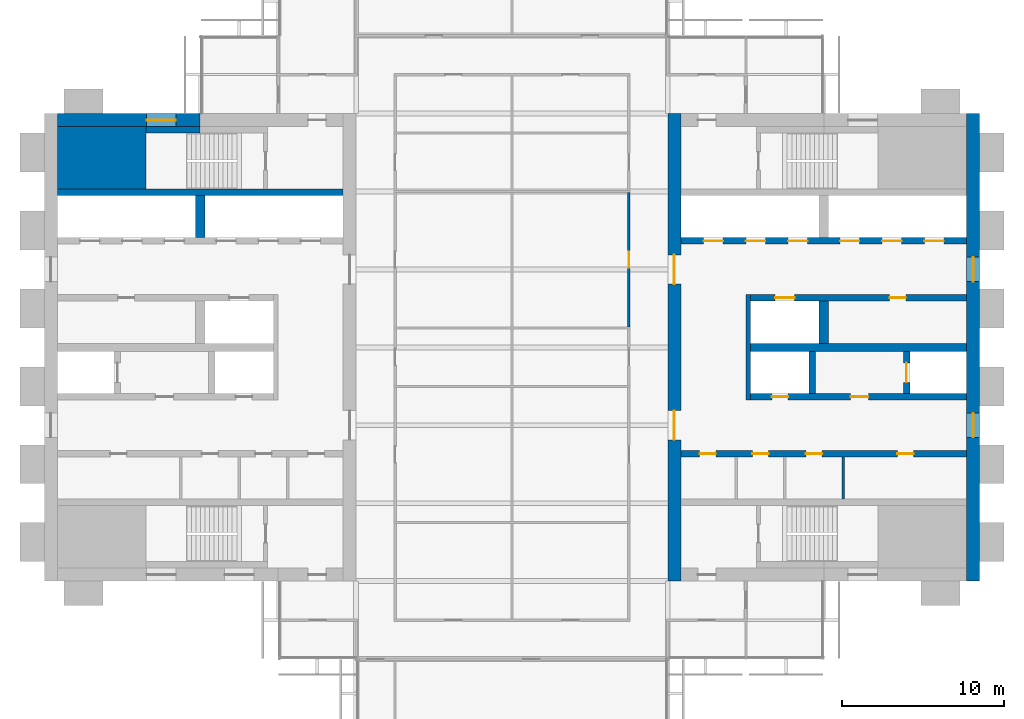
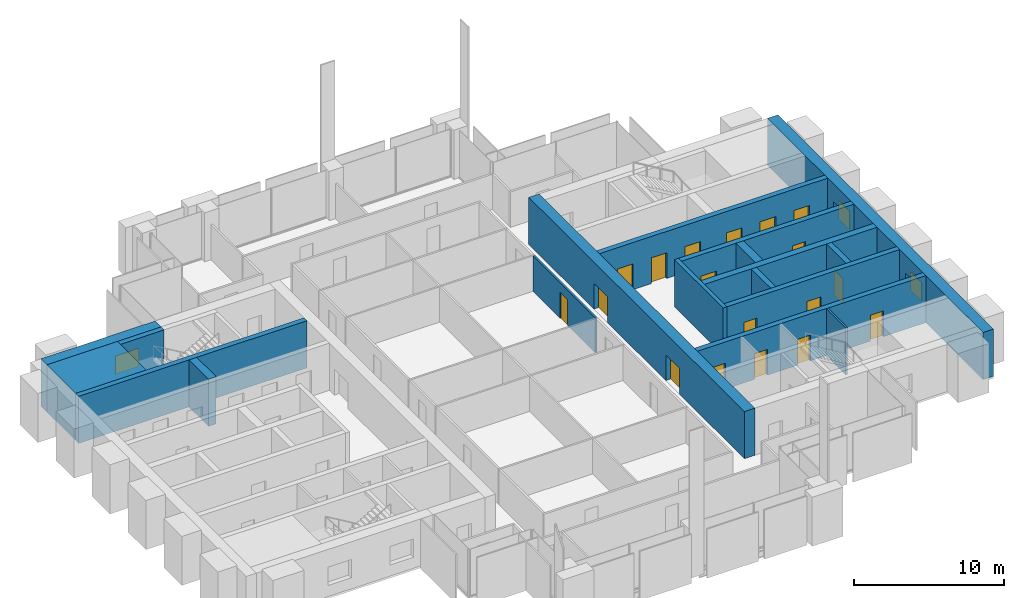
# One storey, part 10 of 13: 18 doors, 18 walls, 3 windows, 21 openings.
"""IFC4 building model written with IfcOpenShell, lengths in metres."""

from ifc_helpers import new_model, si_unit, direction, frame, frame_2d, origin, place, context, subcontext, project, spatial, rectangle, extrude, material, layer, layer_set, type_object, element, fill, save


model = new_model("IFC4")

# Units and contexts
model_context = context("Model", 3, precision=1e-05, world=origin(), true_north=direction((0.0, 1.0)))
body_context = subcontext(model_context, "Body", "Model", "MODEL_VIEW")
ifc_project = project(units=[si_unit("LENGTHUNIT", "METRE"), si_unit("AREAUNIT", "SQUARE_METRE"), si_unit("VOLUMEUNIT", "CUBIC_METRE"), si_unit("PLANEANGLEUNIT", "RADIAN"), si_unit("MASSUNIT", "GRAM", prefix="KILO")], contexts=[model_context])

# Site, building, storey
site_placement = place(None, origin())
site = spatial("IfcSite", under=ifc_project, at=site_placement, CompositionType="ELEMENT")
building_placement = place(site_placement, origin())
building = spatial("IfcBuilding", under=site, at=building_placement, Name="Baori Bourse Tower", CompositionType="ELEMENT")
storey_placement = place(building_placement, frame((0.0, 0.0, 225.199951171875)))
storey = spatial("IfcBuildingStorey", under=building, at=storey_placement, Name="L49", CompositionType="ELEMENT", Elevation=225.199951171875)

# Walls
ifc_material_1 = material(Name="Concrete f'c 50 MPa", Category="concrete")
wall_type_1 = type_object("IfcWallType", Name="Core corner block f'c 50", PredefinedType="SHEAR", material=ifc_material_1)
wall_1_placement = place(storey_placement, frame((0.800048828125, 35.675048828125, 0.0), z_axis=(0.0, 0.0, 1.0), x_axis=(1.0, 0.0, 0.0)))
element("IfcWall", 1, at=wall_1_placement, inside=storey, type_object=wall_type_1, Name="Core wall W23", PredefinedType="SHEAR", context=body_context, shape_type="SweptSolid", body=[
    extrude(rectangle(XDim=5.449951171875, YDim=3.85009765625, at=frame_2d((2.72509765625, 0.0))), origin(), (0.0, 0.0, 1.0), 3.840087890625),
])
ifc_material_2 = material(Name="Blockwork partition", Category="masonry")
ifc_layer_1 = layer(ifc_material_2, 0.14990234375)
ifc_layer_set_1 = layer_set([ifc_layer_1], Name="Core partition 150")
wall_type_2 = type_object("IfcWallType", Name="Core partition 150", PredefinedType="PARTITIONING", material=ifc_layer_set_1)
wall_2_placement = place(storey_placement, frame((49.199951171875, 14.64990234375, 0.0), z_axis=(0.0, 0.0, 1.0), x_axis=(0.0, 1.0, 0.0)))
element("IfcWall", 2, at=wall_2_placement, inside=storey, type_object=wall_type_2, Name="Partition wall E10", PredefinedType="PARTITIONING", context=body_context, shape_type="SweptSolid", body=[
    extrude(rectangle(XDim=2.60009765625, YDim=0.14990234375, at=frame_2d((1.300048828125, 0.0))), origin(), (0.0, 0.0, 1.0), 3.840087890625),
])

# Wall, opening, window
ifc_material_3 = material(Name="Concrete f'c 50 MPa", Category="concrete")
ifc_layer_2 = layer(ifc_material_3, 0.800048828125)
ifc_layer_set_2 = layer_set([ifc_layer_2], Name="Core wall 800 f'c 50")
wall_type_3 = type_object("IfcWallType", Name="Core wall 800 f'c 50", PredefinedType="SHEAR", material=ifc_layer_set_2)
wall_3_placement = place(storey_placement, frame((0.800048828125, 38.0, 0.0), z_axis=(0.0, 0.0, 1.0), x_axis=(1.0, 0.0, 0.0)))
wall_3 = element("IfcWall", 3, at=wall_3_placement, inside=storey, type_object=wall_type_3, Name="Core wall W27", PredefinedType="SHEAR", context=body_context, shape_type="SweptSolid", body=[
    extrude(rectangle(XDim=8.800048828125, YDim=0.800048828125, at=frame_2d((4.39990234375, 0.0))), origin(), (0.0, 0.0, 1.0), 3.840087890625),
])
opening_1_placement = place(wall_3_placement, frame((5.5, 0.0, 0.89990234375)))
opening_1 = element("IfcOpeningElement", 4, at=opening_1_placement, cuts=wall_3, Name="Opening L49-KW105", PredefinedType="OPENING", context=body_context, shape_type="SweptSolid", body=[
    extrude(rectangle(XDim=1.800048828125, YDim=1.5, at=frame_2d((0.89990234375, 0.75))), frame((0.0, 0.409912109375, 0.0), z_axis=(0.0, -1.0, 0.0), x_axis=(1.0, 0.0, 0.0)), (0.0, 0.0, 1.0), 0.820068359375),
])
ifc_material_4 = material(Name="Pale anodised aluminium", Category="aluminium")
window_type_1 = type_object("IfcWindowType", Name="Stair window 1800 x 1500", PartitioningType="SINGLE_PANEL", PredefinedType="WINDOW", material=ifc_material_4)
window_1_placement = place(opening_1_placement, origin())
window_1 = element("IfcWindow", 5, at=window_1_placement, inside=storey, type_object=window_type_1, Name="Stair window W L49 5", OverallHeight=1.5, OverallWidth=1.800048828125, PartitioningType="SINGLE_PANEL", PredefinedType="WINDOW", context=body_context, shape_type="SweptSolid", body=[
    extrude(rectangle(XDim=1.800048828125, YDim=1.5, at=frame_2d((0.89990234375, 0.75))), frame((0.0, 0.030029296875, 0.0), z_axis=(0.0, -1.0, 0.0), x_axis=(1.0, 0.0, 0.0)), (0.0, 0.0, 1.0), 0.06005859375),
])
fill(opening_1, window_1)

# Wall, openings, windows
wall_4_placement = place(storey_placement, frame((57.199951171875, 38.39990234375, 0.0), z_axis=(0.0, 0.0, 1.0), x_axis=(0.0, -1.0, 0.0)))
wall_4 = element("IfcWall", 6, at=wall_4_placement, inside=storey, type_object=wall_type_3, Name="Core wall E01", PredefinedType="SHEAR", context=body_context, shape_type="SweptSolid", body=[
    extrude(rectangle(XDim=28.7998046875, YDim=0.800048828125, at=frame_2d((14.39990234375, 0.0))), origin(), (0.0, 0.0, 1.0), 3.840087890625),
])
opening_2_placement = place(wall_4_placement, frame((18.449951171875, 0.0, 0.89990234375)))
opening_2 = element("IfcOpeningElement", 7, at=opening_2_placement, cuts=wall_4, Name="Opening L49-KW201", PredefinedType="OPENING", context=body_context, shape_type="SweptSolid", body=[
    extrude(rectangle(XDim=1.5, YDim=1.5, at=frame_2d((0.75, 0.75))), frame((0.0, 0.409912109375, 0.0), z_axis=(0.0, -1.0, 0.0), x_axis=(1.0, 0.0, 0.0)), (0.0, 0.0, 1.0), 0.820068359375),
])
opening_3_placement = place(wall_4_placement, frame((8.85009765625, 0.0, 0.89990234375)))
opening_3 = element("IfcOpeningElement", 8, at=opening_3_placement, cuts=wall_4, Name="Opening L49-KW202", PredefinedType="OPENING", context=body_context, shape_type="SweptSolid", body=[
    extrude(rectangle(XDim=1.5, YDim=1.5, at=frame_2d((0.75, 0.75))), frame((0.0, 0.409912109375, 0.0), z_axis=(0.0, -1.0, 0.0), x_axis=(1.0, 0.0, 0.0)), (0.0, 0.0, 1.0), 0.820068359375),
])
ifc_material_5 = material(Name="Pale anodised aluminium", Category="aluminium")
window_type_2 = type_object("IfcWindowType", Name="Lobby window 1500 x 1500", PartitioningType="SINGLE_PANEL", PredefinedType="WINDOW", material=ifc_material_5)
window_2_placement = place(opening_2_placement, origin())
window_2 = element("IfcWindow", 9, at=window_2_placement, inside=storey, type_object=window_type_2, Name="Outer wall window E L49 1", OverallHeight=1.5, OverallWidth=1.5, PartitioningType="SINGLE_PANEL", PredefinedType="WINDOW", context=body_context, shape_type="SweptSolid", body=[
    extrude(rectangle(XDim=1.5, YDim=1.5, at=frame_2d((0.75, 0.75))), frame((0.0, 0.030029296875, 0.0), z_axis=(0.0, -1.0, 0.0), x_axis=(1.0, 0.0, 0.0)), (0.0, 0.0, 1.0), 0.06005859375),
])
fill(opening_2, window_2)
window_3_placement = place(opening_3_placement, origin())
window_3 = element("IfcWindow", 10, at=window_3_placement, inside=storey, type_object=window_type_2, Name="Outer wall window E L49 2", OverallHeight=1.5, OverallWidth=1.5, PartitioningType="SINGLE_PANEL", PredefinedType="WINDOW", context=body_context, shape_type="SweptSolid", body=[
    extrude(rectangle(XDim=1.5, YDim=1.5, at=frame_2d((0.75, 0.75))), frame((0.0, 0.030029296875, 0.0), z_axis=(0.0, -1.0, 0.0), x_axis=(1.0, 0.0, 0.0)), (0.0, 0.0, 1.0), 0.06005859375),
])
fill(opening_3, window_3)

# Wall, openings, doors
wall_5_placement = place(storey_placement, frame((38.800048828125, 9.60009765625, 0.0), z_axis=(0.0, 0.0, 1.0), x_axis=(0.0, 1.0, 0.0)))
wall_5 = element("IfcWall", 11, at=wall_5_placement, inside=storey, type_object=wall_type_3, Name="Core wall E04", PredefinedType="SHEAR", context=body_context, shape_type="SweptSolid", body=[
    extrude(rectangle(XDim=28.7998046875, YDim=0.800048828125, at=frame_2d((14.39990234375, 0.0))), origin(), (0.0, 0.0, 1.0), 3.840087890625),
])
opening_4_placement = place(wall_5_placement, frame((8.699951171875, 0.0, 0.0)))
opening_4 = element("IfcOpeningElement", 12, at=opening_4_placement, cuts=wall_5, Name="Opening L49-D207", PredefinedType="OPENING", context=body_context, shape_type="SweptSolid", body=[
    extrude(rectangle(XDim=1.800048828125, YDim=2.10009765625, at=frame_2d((0.89990234375, 1.050048828125))), frame((0.0, 0.409912109375, 0.0), z_axis=(0.0, -1.0, 0.0), x_axis=(1.0, 0.0, 0.0)), (0.0, 0.0, 1.0), 0.820068359375),
])
opening_5_placement = place(wall_5_placement, frame((18.300048828125, 0.0, 0.0)))
opening_5 = element("IfcOpeningElement", 13, at=opening_5_placement, cuts=wall_5, Name="Opening L49-D208", PredefinedType="OPENING", context=body_context, shape_type="SweptSolid", body=[
    extrude(rectangle(XDim=1.800048828125, YDim=2.10009765625, at=frame_2d((0.89990234375, 1.050048828125))), frame((0.0, 0.409912109375, 0.0), z_axis=(0.0, -1.0, 0.0), x_axis=(1.0, 0.0, 0.0)), (0.0, 0.0, 1.0), 0.820068359375),
])
ifc_material_6 = material(Name="Painted steel door", Category="steel")
door_type_1 = type_object("IfcDoorType", Name="Core lobby door 1800", OperationType="DOUBLE_DOOR_SINGLE_SWING", PredefinedType="DOOR", material=ifc_material_6)
door_1_placement = place(opening_4_placement, origin())
door_1 = element("IfcDoor", 14, at=door_1_placement, inside=storey, type_object=door_type_1, Name="Lobby door E L49", OperationType="DOUBLE_DOOR_SINGLE_SWING", OverallHeight=2.10009765625, OverallWidth=1.800048828125, PredefinedType="DOOR", context=body_context, shape_type="SweptSolid", body=[
    extrude(rectangle(XDim=1.800048828125, YDim=2.10009765625, at=frame_2d((0.89990234375, 1.050048828125))), frame((0.0, 0.02490234375, 0.0), z_axis=(0.0, -1.0, 0.0), x_axis=(1.0, 0.0, 0.0)), (0.0, 0.0, 1.0), 0.050048828125),
])
fill(opening_4, door_1)
door_2_placement = place(opening_5_placement, origin())
door_2 = element("IfcDoor", 15, at=door_2_placement, inside=storey, type_object=door_type_1, Name="Lobby door E L49", OperationType="DOUBLE_DOOR_SINGLE_SWING", OverallHeight=2.10009765625, OverallWidth=1.800048828125, PredefinedType="DOOR", context=body_context, shape_type="SweptSolid", body=[
    extrude(rectangle(XDim=1.800048828125, YDim=2.10009765625, at=frame_2d((0.89990234375, 1.050048828125))), frame((0.0, 0.02490234375, 0.0), z_axis=(0.0, -1.0, 0.0), x_axis=(1.0, 0.0, 0.0)), (0.0, 0.0, 1.0), 0.050048828125),
])
fill(opening_5, door_2)

# Wall, opening, door
ifc_material_7 = material(Name="Gypsum board partition")
ifc_layer_3 = layer(ifc_material_7, 0.14990234375)
ifc_layer_set_3 = layer_set([ifc_layer_3], Name="Corridor partition 150")
wall_type_4 = type_object("IfcWallType", Name="Corridor partition 150", PredefinedType="PARTITIONING", material=ifc_layer_set_3)
wall_6_placement = place(storey_placement, frame((36.0, 25.262451171875, 0.0), z_axis=(0.0, 0.0, 1.0), x_axis=(0.0, 1.0, 0.0)))
wall_6 = element("IfcWall", 16, at=wall_6_placement, inside=storey, type_object=wall_type_4, Name="Partition", PredefinedType="PARTITIONING", context=body_context, shape_type="SweptSolid", body=[
    extrude(rectangle(XDim=8.275146484375, YDim=0.14990234375, at=frame_2d((4.1376953125, 0.0))), origin(), (0.0, 0.0, 1.0), 2.869873046875),
])
opening_6_placement = place(wall_6_placement, frame((3.637451171875, 0.0, 0.0)))
opening_6 = element("IfcOpeningElement", 17, at=opening_6_placement, cuts=wall_6, Name="Opening L49-D20", PredefinedType="OPENING", context=body_context, shape_type="SweptSolid", body=[
    extrude(rectangle(XDim=1.0, YDim=2.10009765625, at=frame_2d((0.5, 1.050048828125))), frame((0.0, 0.0849609375, 0.0), z_axis=(0.0, -1.0, 0.0), x_axis=(1.0, 0.0, 0.0)), (0.0, 0.0, 1.0), 0.169921875),
])
ifc_material_8 = material(Name="Timber door leaf", Category="wood")
door_type_2 = type_object("IfcDoorType", Name="Door 1000 x 2100", OperationType="SINGLE_SWING_LEFT", PredefinedType="DOOR", material=ifc_material_8)
door_3_placement = place(opening_6_placement, origin())
door_3 = element("IfcDoor", 18, at=door_3_placement, inside=storey, type_object=door_type_2, Name="Door", OperationType="SINGLE_SWING_RIGHT", OverallHeight=2.10009765625, OverallWidth=1.0, PredefinedType="DOOR", context=body_context, shape_type="SweptSolid", body=[
    extrude(rectangle(XDim=1.0, YDim=2.10009765625, at=frame_2d((0.5, 1.050048828125))), frame((0.0, 0.02490234375, 0.0), z_axis=(0.0, -1.0, 0.0), x_axis=(1.0, 0.0, 0.0)), (0.0, 0.0, 1.0), 0.050048828125),
])
fill(opening_6, door_3)

# Walls
ifc_material_9 = material(Name="Concrete f'c 50 MPa", Category="concrete")
ifc_layer_4 = layer(ifc_material_9, 0.300048828125)
ifc_layer_set_4 = layer_set([ifc_layer_4], Name="Shaft wall 300 f'c 50")
wall_type_5 = type_object("IfcWallType", Name="Shaft wall 300 f'c 50", PredefinedType="SHEAR", material=ifc_layer_set_4)
wall_7_placement = place(storey_placement, frame((43.35009765625, 20.75, 0.0), z_axis=(0.0, 0.0, 1.0), x_axis=(0.0, 1.0, 0.0)))
element("IfcWall", 19, at=wall_7_placement, inside=storey, type_object=wall_type_5, Name="Core wall E15", PredefinedType="SHEAR", context=body_context, shape_type="SweptSolid", body=[
    extrude(rectangle(XDim=6.5, YDim=0.300048828125, at=frame_2d((3.25, 0.0))), origin(), (0.0, 0.0, 1.0), 3.840087890625),
])
ifc_material_10 = material(Name="Concrete f'c 50 MPa", Category="concrete")
ifc_layer_5 = layer(ifc_material_10, 0.39990234375)
ifc_layer_set_5 = layer_set([ifc_layer_5], Name="Shaft wall 400 f'c 50")
wall_type_6 = type_object("IfcWallType", Name="Shaft wall 400 f'c 50", PredefinedType="SHEAR", material=ifc_layer_set_5)
wall_8_placement = place(storey_placement, frame((0.800048828125, 33.550048828125, 0.0), z_axis=(0.0, 0.0, 1.0), x_axis=(1.0, 0.0, 0.0)))
element("IfcWall", 20, at=wall_8_placement, inside=storey, type_object=wall_type_6, Name="Core wall W22", PredefinedType="SHEAR", context=body_context, shape_type="SweptSolid", body=[
    extrude(rectangle(XDim=17.599853515625, YDim=0.39990234375, at=frame_2d((8.7998046875, 0.0))), origin(), (0.0, 0.0, 1.0), 3.840087890625),
])
wall_9_placement = place(storey_placement, frame((6.25, 37.39990234375, 0.0), z_axis=(0.0, 0.0, 1.0), x_axis=(1.0, 0.0, 0.0)))
element("IfcWall", 21, at=wall_9_placement, inside=storey, type_object=wall_type_6, Name="Core wall W25", PredefinedType="SHEAR", context=body_context, shape_type="SweptSolid", body=[
    extrude(rectangle(XDim=3.35009765625, YDim=0.39990234375, at=frame_2d((1.675048828125, 0.0))), origin(), (0.0, 0.0, 1.0), 3.840087890625),
])

# Wall, openings, doors
wall_10_placement = place(storey_placement, frame((39.199951171875, 17.449951171875, 0.0), z_axis=(0.0, 0.0, 1.0), x_axis=(1.0, 0.0, 0.0)))
wall_10 = element("IfcWall", 22, at=wall_10_placement, inside=storey, type_object=wall_type_6, Name="Core wall E13", PredefinedType="SHEAR", context=body_context, shape_type="SweptSolid", body=[
    extrude(rectangle(XDim=17.60009765625, YDim=0.39990234375, at=frame_2d((8.800048828125, 0.0))), origin(), (0.0, 0.0, 1.0), 3.840087890625),
])
opening_7_placement = place(wall_10_placement, frame((13.33740234375, 0.0, 0.0)))
opening_7 = element("IfcOpeningElement", 23, at=opening_7_placement, cuts=wall_10, Name="Opening L49-D209", PredefinedType="OPENING", context=body_context, shape_type="SweptSolid", body=[
    extrude(rectangle(XDim=1.0, YDim=2.10009765625, at=frame_2d((0.5, 1.050048828125))), frame((0.0, 0.2099609375, 0.0), z_axis=(0.0, -1.0, 0.0), x_axis=(1.0, 0.0, 0.0)), (0.0, 0.0, 1.0), 0.419921875),
])
opening_8_placement = place(wall_10_placement, frame((7.699951171875, 0.0, 0.0)))
opening_8 = element("IfcOpeningElement", 24, at=opening_8_placement, cuts=wall_10, Name="Opening L49-D210", PredefinedType="OPENING", context=body_context, shape_type="SweptSolid", body=[
    extrude(rectangle(XDim=1.0, YDim=2.10009765625, at=frame_2d((0.5, 1.050048828125))), frame((0.0, 0.2099609375, 0.0), z_axis=(0.0, -1.0, 0.0), x_axis=(1.0, 0.0, 0.0)), (0.0, 0.0, 1.0), 0.419921875),
])
opening_9_placement = place(wall_10_placement, frame((4.39990234375, 0.0, 0.0)))
opening_9 = element("IfcOpeningElement", 25, at=opening_9_placement, cuts=wall_10, Name="Opening L49-D211", PredefinedType="OPENING", context=body_context, shape_type="SweptSolid", body=[
    extrude(rectangle(XDim=1.0, YDim=2.10009765625, at=frame_2d((0.5, 1.050048828125))), frame((0.0, 0.2099609375, 0.0), z_axis=(0.0, -1.0, 0.0), x_axis=(1.0, 0.0, 0.0)), (0.0, 0.0, 1.0), 0.419921875),
])
opening_10_placement = place(wall_10_placement, frame((1.16259765625, 0.0, 0.0)))
opening_10 = element("IfcOpeningElement", 26, at=opening_10_placement, cuts=wall_10, Name="Opening L49-D212", PredefinedType="OPENING", context=body_context, shape_type="SweptSolid", body=[
    extrude(rectangle(XDim=1.0, YDim=2.10009765625, at=frame_2d((0.5, 1.050048828125))), frame((0.0, 0.2099609375, 0.0), z_axis=(0.0, -1.0, 0.0), x_axis=(1.0, 0.0, 0.0)), (0.0, 0.0, 1.0), 0.419921875),
])
ifc_material_11 = material(Name="Painted steel door", Category="steel")
door_type_3 = type_object("IfcDoorType", Name="Core door 1000", OperationType="SINGLE_SWING_LEFT", PredefinedType="DOOR", material=ifc_material_11)
door_4_placement = place(opening_7_placement, origin())
door_4 = element("IfcDoor", 27, at=door_4_placement, inside=storey, type_object=door_type_3, Name="Men'S Wc door E L49", OperationType="SINGLE_SWING_LEFT", OverallHeight=2.10009765625, OverallWidth=1.0, PredefinedType="DOOR", context=body_context, shape_type="SweptSolid", body=[
    extrude(rectangle(XDim=1.0, YDim=2.10009765625, at=frame_2d((0.5, 1.050048828125))), frame((0.0, 0.02490234375, 0.0), z_axis=(0.0, -1.0, 0.0), x_axis=(1.0, 0.0, 0.0)), (0.0, 0.0, 1.0), 0.050048828125),
])
fill(opening_7, door_4)
door_5_placement = place(opening_8_placement, origin())
door_5 = element("IfcDoor", 28, at=door_5_placement, inside=storey, type_object=door_type_3, Name="Women'S Wc door E L49", OperationType="SINGLE_SWING_LEFT", OverallHeight=2.10009765625, OverallWidth=1.0, PredefinedType="DOOR", context=body_context, shape_type="SweptSolid", body=[
    extrude(rectangle(XDim=1.0, YDim=2.10009765625, at=frame_2d((0.5, 1.050048828125))), frame((0.0, 0.02490234375, 0.0), z_axis=(0.0, -1.0, 0.0), x_axis=(1.0, 0.0, 0.0)), (0.0, 0.0, 1.0), 0.050048828125),
])
fill(opening_8, door_5)
door_6_placement = place(opening_9_placement, origin())
door_6 = element("IfcDoor", 29, at=door_6_placement, inside=storey, type_object=door_type_3, Name="Accessible Wc door E L49", OperationType="SINGLE_SWING_LEFT", OverallHeight=2.10009765625, OverallWidth=1.0, PredefinedType="DOOR", context=body_context, shape_type="SweptSolid", body=[
    extrude(rectangle(XDim=1.0, YDim=2.10009765625, at=frame_2d((0.5, 1.050048828125))), frame((0.0, 0.02490234375, 0.0), z_axis=(0.0, -1.0, 0.0), x_axis=(1.0, 0.0, 0.0)), (0.0, 0.0, 1.0), 0.050048828125),
])
fill(opening_9, door_6)
door_7_placement = place(opening_10_placement, origin())
door_7 = element("IfcDoor", 30, at=door_7_placement, inside=storey, type_object=door_type_3, Name="Store Room door E L49", OperationType="SINGLE_SWING_LEFT", OverallHeight=2.10009765625, OverallWidth=1.0, PredefinedType="DOOR", context=body_context, shape_type="SweptSolid", body=[
    extrude(rectangle(XDim=1.0, YDim=2.10009765625, at=frame_2d((0.5, 1.050048828125))), frame((0.0, 0.02490234375, 0.0), z_axis=(0.0, -1.0, 0.0), x_axis=(1.0, 0.0, 0.0)), (0.0, 0.0, 1.0), 0.050048828125),
])
fill(opening_10, door_7)

wall_11_placement = place(storey_placement, frame((43.5, 20.949951171875, 0.0), z_axis=(0.0, 0.0, 1.0), x_axis=(1.0, 0.0, 0.0)))
wall_11 = element("IfcWall", 31, at=wall_11_placement, inside=storey, type_object=wall_type_6, Name="Core wall E14", PredefinedType="SHEAR", context=body_context, shape_type="SweptSolid", body=[
    extrude(rectangle(XDim=13.300048828125, YDim=0.39990234375, at=frame_2d((6.64990234375, 0.0))), origin(), (0.0, 0.0, 1.0), 3.840087890625),
])
opening_11_placement = place(wall_11_placement, frame((6.14990234375, 0.0, 0.0)))
opening_11 = element("IfcOpeningElement", 32, at=opening_11_placement, cuts=wall_11, Name="Opening L49-D205", PredefinedType="OPENING", context=body_context, shape_type="SweptSolid", body=[
    extrude(rectangle(XDim=1.10009765625, YDim=2.10009765625, at=frame_2d((0.550048828125, 1.050048828125))), frame((0.0, 0.2099609375, 0.0), z_axis=(0.0, -1.0, 0.0), x_axis=(1.0, 0.0, 0.0)), (0.0, 0.0, 1.0), 0.419921875),
])
opening_12_placement = place(wall_11_placement, frame((1.300048828125, 0.0, 0.0)))
opening_12 = element("IfcOpeningElement", 33, at=opening_12_placement, cuts=wall_11, Name="Opening L49-D206", PredefinedType="OPENING", context=body_context, shape_type="SweptSolid", body=[
    extrude(rectangle(XDim=1.0, YDim=2.10009765625, at=frame_2d((0.5, 1.050048828125))), frame((0.0, 0.2099609375, 0.0), z_axis=(0.0, -1.0, 0.0), x_axis=(1.0, 0.0, 0.0)), (0.0, 0.0, 1.0), 0.419921875),
])
ifc_material_12 = material(Name="Painted steel door", Category="steel")
door_type_4 = type_object("IfcDoorType", Name="Lobby door 1100", OperationType="SINGLE_SWING_LEFT", PredefinedType="DOOR", material=ifc_material_12)
door_8_placement = place(opening_11_placement, origin())
door_8 = element("IfcDoor", 34, at=door_8_placement, inside=storey, type_object=door_type_4, Name="Firefighting lobby door E L49", OperationType="SINGLE_SWING_LEFT", OverallHeight=2.10009765625, OverallWidth=1.10009765625, PredefinedType="DOOR", context=body_context, shape_type="SweptSolid", body=[
    extrude(rectangle(XDim=1.10009765625, YDim=2.10009765625, at=frame_2d((0.550048828125, 1.050048828125))), frame((0.0, 0.02490234375, 0.0), z_axis=(0.0, -1.0, 0.0), x_axis=(1.0, 0.0, 0.0)), (0.0, 0.0, 1.0), 0.050048828125),
])
fill(opening_11, door_8)
ifc_material_13 = material(Name="Painted steel door", Category="steel")
door_type_5 = type_object("IfcDoorType", Name="Shaft door 1000", OperationType="SINGLE_SWING_LEFT", PredefinedType="DOOR", material=ifc_material_13)
door_9_placement = place(opening_12_placement, origin())
door_9 = element("IfcDoor", 35, at=door_9_placement, inside=storey, type_object=door_type_5, Name="Riser room door E L49", OperationType="SINGLE_SWING_LEFT", OverallHeight=2.10009765625, OverallWidth=1.0, PredefinedType="DOOR", context=body_context, shape_type="SweptSolid", body=[
    extrude(rectangle(XDim=1.0, YDim=2.10009765625, at=frame_2d((0.5, 1.050048828125))), frame((0.0, 0.02490234375, 0.0), z_axis=(0.0, -1.0, 0.0), x_axis=(1.0, 0.0, 0.0)), (0.0, 0.0, 1.0), 0.050048828125),
])
fill(opening_12, door_9)

# Wall, opening, door
wall_12_placement = place(storey_placement, frame((53.10009765625, 21.14990234375, 0.0), z_axis=(0.0, 0.0, 1.0), x_axis=(0.0, 1.0, 0.0)))
wall_12 = element("IfcWall", 36, at=wall_12_placement, inside=storey, type_object=wall_type_6, Name="Core wall E16", PredefinedType="SHEAR", context=body_context, shape_type="SweptSolid", body=[
    extrude(rectangle(XDim=2.60009765625, YDim=0.39990234375, at=frame_2d((1.300048828125, 0.0))), origin(), (0.0, 0.0, 1.0), 3.840087890625),
])
opening_13_placement = place(wall_12_placement, frame((0.699951171875, 0.0, 0.0)))
opening_13 = element("IfcOpeningElement", 37, at=opening_13_placement, cuts=wall_12, Name="Opening L49-D221", PredefinedType="OPENING", context=body_context, shape_type="SweptSolid", body=[
    extrude(rectangle(XDim=1.199951171875, YDim=2.10009765625, at=frame_2d((0.60009765625, 1.050048828125))), frame((0.0, 0.2099609375, 0.0), z_axis=(0.0, -1.0, 0.0), x_axis=(1.0, 0.0, 0.0)), (0.0, 0.0, 1.0), 0.419921875),
])
ifc_material_14 = material(Name="Stainless steel door", Category="steel")
door_type_6 = type_object("IfcDoorType", Name="Lift landing door", OperationType="DOUBLE_DOOR_SLIDING", PredefinedType="DOOR", material=ifc_material_14)
door_10_placement = place(opening_13_placement, origin())
door_10 = element("IfcDoor", 38, at=door_10_placement, inside=storey, type_object=door_type_6, Name="Lift landing door FF2 E L49", OperationType="DOUBLE_DOOR_SLIDING", OverallHeight=2.10009765625, OverallWidth=1.199951171875, PredefinedType="DOOR", context=body_context, shape_type="SweptSolid", body=[
    extrude(rectangle(XDim=1.199951171875, YDim=2.10009765625, at=frame_2d((0.60009765625, 1.050048828125))), frame((0.0, 0.02490234375, 0.0), z_axis=(0.0, -1.0, 0.0), x_axis=(1.0, 0.0, 0.0)), (0.0, 0.0, 1.0), 0.050048828125),
])
fill(opening_13, door_10)

# Wall
wall_13_placement = place(storey_placement, frame((47.300048828125, 21.14990234375, 0.0), z_axis=(0.0, 0.0, 1.0), x_axis=(0.0, 1.0, 0.0)))
element("IfcWall", 39, at=wall_13_placement, inside=storey, type_object=wall_type_6, Name="Core wall E17", PredefinedType="SHEAR", context=body_context, shape_type="SweptSolid", body=[
    extrude(rectangle(XDim=2.60009765625, YDim=0.39990234375, at=frame_2d((1.300048828125, 0.0))), origin(), (0.0, 0.0, 1.0), 3.840087890625),
])

# Wall, openings, doors
wall_14_placement = place(storey_placement, frame((43.5, 27.050048828125, 0.0), z_axis=(0.0, 0.0, 1.0), x_axis=(1.0, 0.0, 0.0)))
wall_14 = element("IfcWall", 40, at=wall_14_placement, inside=storey, type_object=wall_type_6, Name="Core wall E20", PredefinedType="SHEAR", context=body_context, shape_type="SweptSolid", body=[
    extrude(rectangle(XDim=13.300048828125, YDim=0.39990234375, at=frame_2d((6.64990234375, 0.0))), origin(), (0.0, 0.0, 1.0), 3.840087890625),
])
opening_14_placement = place(wall_14_placement, frame((8.550048828125, 0.0, 0.0)))
opening_14 = element("IfcOpeningElement", 41, at=opening_14_placement, cuts=wall_14, Name="Opening L49-D213", PredefinedType="OPENING", context=body_context, shape_type="SweptSolid", body=[
    extrude(rectangle(XDim=1.0, YDim=2.10009765625, at=frame_2d((0.5, 1.050048828125))), frame((0.0, 0.2099609375, 0.0), z_axis=(0.0, -1.0, 0.0), x_axis=(1.0, 0.0, 0.0)), (0.0, 0.0, 1.0), 0.419921875),
])
opening_15_placement = place(wall_14_placement, frame((1.5, 0.0, 0.0)))
opening_15 = element("IfcOpeningElement", 42, at=opening_15_placement, cuts=wall_14, Name="Opening L49-D220", PredefinedType="OPENING", context=body_context, shape_type="SweptSolid", body=[
    extrude(rectangle(XDim=1.199951171875, YDim=2.10009765625, at=frame_2d((0.60009765625, 1.050048828125))), frame((0.0, 0.2099609375, 0.0), z_axis=(0.0, -1.0, 0.0), x_axis=(1.0, 0.0, 0.0)), (0.0, 0.0, 1.0), 0.419921875),
])
door_11_placement = place(opening_14_placement, origin())
door_11 = element("IfcDoor", 43, at=door_11_placement, inside=storey, type_object=door_type_3, Name="Pantry door E L49", OperationType="SINGLE_SWING_LEFT", OverallHeight=2.10009765625, OverallWidth=1.0, PredefinedType="DOOR", context=body_context, shape_type="SweptSolid", body=[
    extrude(rectangle(XDim=1.0, YDim=2.10009765625, at=frame_2d((0.5, 1.050048828125))), frame((0.0, 0.02490234375, 0.0), z_axis=(0.0, -1.0, 0.0), x_axis=(1.0, 0.0, 0.0)), (0.0, 0.0, 1.0), 0.050048828125),
])
fill(opening_14, door_11)
door_12_placement = place(opening_15_placement, origin())
door_12 = element("IfcDoor", 44, at=door_12_placement, inside=storey, type_object=door_type_6, Name="Lift landing door SV1 E L49", OperationType="DOUBLE_DOOR_SLIDING", OverallHeight=2.10009765625, OverallWidth=1.199951171875, PredefinedType="DOOR", context=body_context, shape_type="SweptSolid", body=[
    extrude(rectangle(XDim=1.199951171875, YDim=2.10009765625, at=frame_2d((0.60009765625, 1.050048828125))), frame((0.0, 0.02490234375, 0.0), z_axis=(0.0, -1.0, 0.0), x_axis=(1.0, 0.0, 0.0)), (0.0, 0.0, 1.0), 0.050048828125),
])
fill(opening_15, door_12)

wall_15_placement = place(storey_placement, frame((39.199951171875, 30.550048828125, 0.0), z_axis=(0.0, 0.0, 1.0), x_axis=(1.0, 0.0, 0.0)))
wall_15 = element("IfcWall", 45, at=wall_15_placement, inside=storey, type_object=wall_type_6, Name="Core wall E21", PredefinedType="SHEAR", context=body_context, shape_type="SweptSolid", body=[
    extrude(rectangle(XDim=17.60009765625, YDim=0.39990234375, at=frame_2d((8.800048828125, 0.0))), origin(), (0.0, 0.0, 1.0), 3.840087890625),
])
opening_16_placement = place(wall_15_placement, frame((15.0, 0.0, 0.0)))
opening_16 = element("IfcOpeningElement", 46, at=opening_16_placement, cuts=wall_15, Name="Opening L49-D214", PredefinedType="OPENING", context=body_context, shape_type="SweptSolid", body=[
    extrude(rectangle(XDim=1.199951171875, YDim=2.10009765625, at=frame_2d((0.60009765625, 1.050048828125))), frame((0.0, 0.2099609375, 0.0), z_axis=(0.0, -1.0, 0.0), x_axis=(1.0, 0.0, 0.0)), (0.0, 0.0, 1.0), 0.419921875),
])
opening_17_placement = place(wall_15_placement, frame((12.39990234375, 0.0, 0.0)))
opening_17 = element("IfcOpeningElement", 47, at=opening_17_placement, cuts=wall_15, Name="Opening L49-D215", PredefinedType="OPENING", context=body_context, shape_type="SweptSolid", body=[
    extrude(rectangle(XDim=1.199951171875, YDim=2.10009765625, at=frame_2d((0.60009765625, 1.050048828125))), frame((0.0, 0.2099609375, 0.0), z_axis=(0.0, -1.0, 0.0), x_axis=(1.0, 0.0, 0.0)), (0.0, 0.0, 1.0), 0.419921875),
])
opening_18_placement = place(wall_15_placement, frame((9.800048828125, 0.0, 0.0)))
opening_18 = element("IfcOpeningElement", 48, at=opening_18_placement, cuts=wall_15, Name="Opening L49-D216", PredefinedType="OPENING", context=body_context, shape_type="SweptSolid", body=[
    extrude(rectangle(XDim=1.199951171875, YDim=2.10009765625, at=frame_2d((0.60009765625, 1.050048828125))), frame((0.0, 0.2099609375, 0.0), z_axis=(0.0, -1.0, 0.0), x_axis=(1.0, 0.0, 0.0)), (0.0, 0.0, 1.0), 0.419921875),
])
opening_19_placement = place(wall_15_placement, frame((6.60009765625, 0.0, 0.0)))
opening_19 = element("IfcOpeningElement", 49, at=opening_19_placement, cuts=wall_15, Name="Opening L49-D217", PredefinedType="OPENING", context=body_context, shape_type="SweptSolid", body=[
    extrude(rectangle(XDim=1.199951171875, YDim=2.10009765625, at=frame_2d((0.60009765625, 1.050048828125))), frame((0.0, 0.2099609375, 0.0), z_axis=(0.0, -1.0, 0.0), x_axis=(1.0, 0.0, 0.0)), (0.0, 0.0, 1.0), 0.419921875),
])
opening_20_placement = place(wall_15_placement, frame((4.0, 0.0, 0.0)))
opening_20 = element("IfcOpeningElement", 50, at=opening_20_placement, cuts=wall_15, Name="Opening L49-D218", PredefinedType="OPENING", context=body_context, shape_type="SweptSolid", body=[
    extrude(rectangle(XDim=1.199951171875, YDim=2.10009765625, at=frame_2d((0.60009765625, 1.050048828125))), frame((0.0, 0.2099609375, 0.0), z_axis=(0.0, -1.0, 0.0), x_axis=(1.0, 0.0, 0.0)), (0.0, 0.0, 1.0), 0.419921875),
])
opening_21_placement = place(wall_15_placement, frame((1.39990234375, 0.0, 0.0)))
opening_21 = element("IfcOpeningElement", 51, at=opening_21_placement, cuts=wall_15, Name="Opening L49-D219", PredefinedType="OPENING", context=body_context, shape_type="SweptSolid", body=[
    extrude(rectangle(XDim=1.199951171875, YDim=2.10009765625, at=frame_2d((0.60009765625, 1.050048828125))), frame((0.0, 0.2099609375, 0.0), z_axis=(0.0, -1.0, 0.0), x_axis=(1.0, 0.0, 0.0)), (0.0, 0.0, 1.0), 0.419921875),
])
door_13_placement = place(opening_16_placement, origin())
door_13 = element("IfcDoor", 52, at=door_13_placement, inside=storey, type_object=door_type_6, Name="Lift landing door HR1 E L49", OperationType="DOUBLE_DOOR_SLIDING", OverallHeight=2.10009765625, OverallWidth=1.199951171875, PredefinedType="DOOR", context=body_context, shape_type="SweptSolid", body=[
    extrude(rectangle(XDim=1.199951171875, YDim=2.10009765625, at=frame_2d((0.60009765625, 1.050048828125))), frame((0.0, 0.02490234375, 0.0), z_axis=(0.0, -1.0, 0.0), x_axis=(1.0, 0.0, 0.0)), (0.0, 0.0, 1.0), 0.050048828125),
])
fill(opening_16, door_13)
door_14_placement = place(opening_17_placement, origin())
door_14 = element("IfcDoor", 53, at=door_14_placement, inside=storey, type_object=door_type_6, Name="Lift landing door HR2 E L49", OperationType="DOUBLE_DOOR_SLIDING", OverallHeight=2.10009765625, OverallWidth=1.199951171875, PredefinedType="DOOR", context=body_context, shape_type="SweptSolid", body=[
    extrude(rectangle(XDim=1.199951171875, YDim=2.10009765625, at=frame_2d((0.60009765625, 1.050048828125))), frame((0.0, 0.02490234375, 0.0), z_axis=(0.0, -1.0, 0.0), x_axis=(1.0, 0.0, 0.0)), (0.0, 0.0, 1.0), 0.050048828125),
])
fill(opening_17, door_14)
door_15_placement = place(opening_18_placement, origin())
door_15 = element("IfcDoor", 54, at=door_15_placement, inside=storey, type_object=door_type_6, Name="Lift landing door HR3 E L49", OperationType="DOUBLE_DOOR_SLIDING", OverallHeight=2.10009765625, OverallWidth=1.199951171875, PredefinedType="DOOR", context=body_context, shape_type="SweptSolid", body=[
    extrude(rectangle(XDim=1.199951171875, YDim=2.10009765625, at=frame_2d((0.60009765625, 1.050048828125))), frame((0.0, 0.02490234375, 0.0), z_axis=(0.0, -1.0, 0.0), x_axis=(1.0, 0.0, 0.0)), (0.0, 0.0, 1.0), 0.050048828125),
])
fill(opening_18, door_15)
door_16_placement = place(opening_19_placement, origin())
door_16 = element("IfcDoor", 55, at=door_16_placement, inside=storey, type_object=door_type_6, Name="Lift landing door HR4 E L49", OperationType="DOUBLE_DOOR_SLIDING", OverallHeight=2.10009765625, OverallWidth=1.199951171875, PredefinedType="DOOR", context=body_context, shape_type="SweptSolid", body=[
    extrude(rectangle(XDim=1.199951171875, YDim=2.10009765625, at=frame_2d((0.60009765625, 1.050048828125))), frame((0.0, 0.02490234375, 0.0), z_axis=(0.0, -1.0, 0.0), x_axis=(1.0, 0.0, 0.0)), (0.0, 0.0, 1.0), 0.050048828125),
])
fill(opening_19, door_16)
door_17_placement = place(opening_20_placement, origin())
door_17 = element("IfcDoor", 56, at=door_17_placement, inside=storey, type_object=door_type_6, Name="Lift landing door HR5 E L49", OperationType="DOUBLE_DOOR_SLIDING", OverallHeight=2.10009765625, OverallWidth=1.199951171875, PredefinedType="DOOR", context=body_context, shape_type="SweptSolid", body=[
    extrude(rectangle(XDim=1.199951171875, YDim=2.10009765625, at=frame_2d((0.60009765625, 1.050048828125))), frame((0.0, 0.02490234375, 0.0), z_axis=(0.0, -1.0, 0.0), x_axis=(1.0, 0.0, 0.0)), (0.0, 0.0, 1.0), 0.050048828125),
])
fill(opening_20, door_17)
door_18_placement = place(opening_21_placement, origin())
door_18 = element("IfcDoor", 57, at=door_18_placement, inside=storey, type_object=door_type_6, Name="Lift landing door HR6 E L49", OperationType="DOUBLE_DOOR_SLIDING", OverallHeight=2.10009765625, OverallWidth=1.199951171875, PredefinedType="DOOR", context=body_context, shape_type="SweptSolid", body=[
    extrude(rectangle(XDim=1.199951171875, YDim=2.10009765625, at=frame_2d((0.60009765625, 1.050048828125))), frame((0.0, 0.02490234375, 0.0), z_axis=(0.0, -1.0, 0.0), x_axis=(1.0, 0.0, 0.0)), (0.0, 0.0, 1.0), 0.050048828125),
])
fill(opening_21, door_18)

# Walls
ifc_material_15 = material(Name="Concrete f'c 50 MPa", Category="concrete")
ifc_layer_6 = layer(ifc_material_15, 0.5)
ifc_layer_set_6 = layer_set([ifc_layer_6], Name="Shaft wall 500 f'c 50")
wall_type_7 = type_object("IfcWallType", Name="Shaft wall 500 f'c 50", PredefinedType="SHEAR", material=ifc_layer_set_6)
wall_16_placement = place(storey_placement, frame((43.5, 24.0, 0.0), z_axis=(0.0, 0.0, 1.0), x_axis=(1.0, 0.0, 0.0)))
element("IfcWall", 58, at=wall_16_placement, inside=storey, type_object=wall_type_7, Name="Core wall E18", PredefinedType="SHEAR", context=body_context, shape_type="SweptSolid", body=[
    extrude(rectangle(XDim=13.300048828125, YDim=0.5, at=frame_2d((6.64990234375, 0.0))), origin(), (0.0, 0.0, 1.0), 3.840087890625),
])
ifc_material_16 = material(Name="Concrete f'c 50 MPa", Category="concrete")
ifc_layer_7 = layer(ifc_material_16, 0.60009765625)
ifc_layer_set_7 = layer_set([ifc_layer_7], Name="Shaft wall 600 f'c 50")
wall_type_8 = type_object("IfcWallType", Name="Shaft wall 600 f'c 50", PredefinedType="SHEAR", material=ifc_layer_set_7)
for number, where, z_axis, x_axis, name in (
    (59, (9.60009765625, 30.75, 0.0), (0.0, 0.0, 1.0), (0.0, 1.0, 0.0), "Core wall W21"),
    (60, (48.0, 24.25, 0.0), (0.0, 0.0, 1.0), (0.0, 1.0, 0.0), "Core wall E19"),
):
    element("IfcWall", number, at=place(storey_placement, frame(where, z_axis=z_axis, x_axis=x_axis)), inside=storey, type_object=wall_type_8, Name=name, PredefinedType="SHEAR", context=body_context, shape_type="SweptSolid", body=[
        extrude(rectangle(XDim=2.60009765625, YDim=0.60009765625, at=frame_2d((1.300048828125, 0.0))), origin(), (0.0, 0.0, 1.0), 3.840087890625),
    ])

save(model, "model.ifc")
